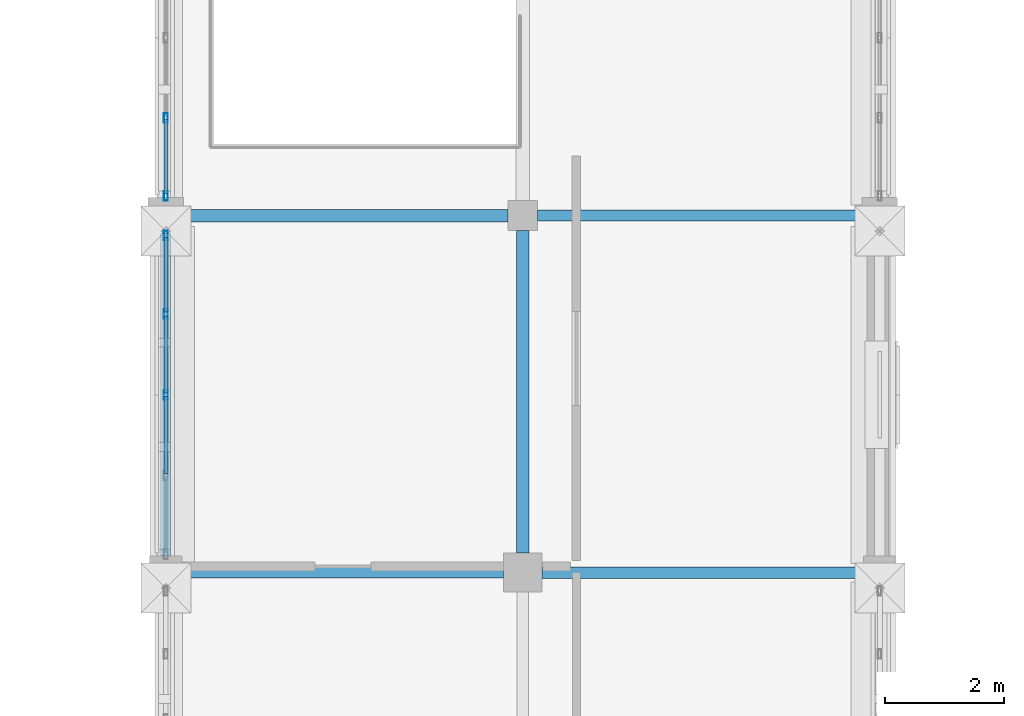
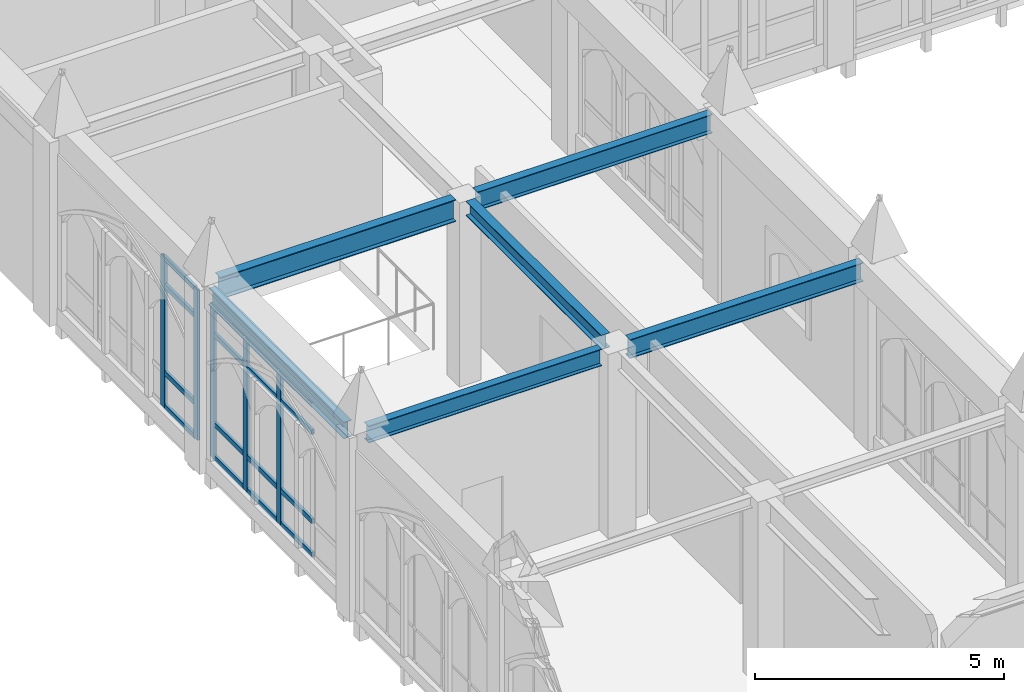
# One storey, part 16 of 143: 21 members, 6 beams, 2 elements without a shape of their own.
"""IFC4 building model written with IfcOpenShell, lengths in metres."""

from ifc_helpers import new_model, si_unit, direction, frame, origin, origin_2d, place, context, subcontext, project, spatial, hollow_rectangle, i_section, extrude, material, layer, layer_set, material_profile, profile_set, type_object, element, aggregate, save


model = new_model("IFC4")

# Units and contexts
model_context = context("Model", 3, precision=1e-05, world=origin(), true_north=direction((0.0, 1.0)))
body_context = subcontext(model_context, "Body", "Model", "MODEL_VIEW")
ifc_project = project(units=[si_unit("LENGTHUNIT", "METRE"), si_unit("AREAUNIT", "SQUARE_METRE"), si_unit("VOLUMEUNIT", "CUBIC_METRE"), si_unit("PLANEANGLEUNIT", "RADIAN"), si_unit("MASSUNIT", "GRAM", prefix="KILO")], contexts=[model_context])

# Site, building, storey
site_placement = place(None, origin())
site = spatial("IfcSite", under=ifc_project, at=site_placement, CompositionType="ELEMENT")
building_placement = place(site_placement, origin())
building = spatial("IfcBuilding", under=site, at=building_placement, Name="Cumevento Cable Car Station", CompositionType="ELEMENT")
storey_placement = place(building_placement, frame((0.0, 0.0, 9.0)))
storey = spatial("IfcBuildingStorey", under=building, at=storey_placement, Name="L03", CompositionType="ELEMENT", Elevation=9.0)

# Curtain wall, members
ifc_material_1 = material(Name="Anodised Bronze Aluminium AW-6063-T6", Category="aluminium")
ifc_layer_1 = layer(ifc_material_1, 0.18408203125)
ifc_layer_set_1 = layer_set([ifc_layer_1], Name="Anodised Bronze Aluminium AW-6063-T6")
curtain_wall_type_1 = type_object("IfcCurtainWallType", Name="Lancet Curtain Wall CW-05 1210", PredefinedType="NOTDEFINED", material=ifc_layer_set_1)
curtain_wall_1_placement = place(storey_placement, origin())
curtain_wall_1 = element("IfcCurtainWall", 1, at=curtain_wall_1_placement, inside=storey, type_object=curtain_wall_type_1, Name="Lancet Curtain Wall CW-05 L03 #84", PredefinedType="NOTDEFINED")
ifc_material_2 = material(Name="Anodised Bronze Aluminium AW-6063-T6", Category="aluminium")
ifc_material_profile_1 = material_profile(ifc_material_2, hollow_rectangle(XDim=0.06494140625, YDim=0.159912109375, WallThickness=0.00390625, at=origin_2d()), Name="ALUM65x160x4")
ifc_profile_set_1 = profile_set([ifc_material_profile_1], Name="Anodised Bronze Aluminium AW-6063-T6")
member_type_1 = type_object("IfcMemberType", Name="Curtain Mullion CWM-01 ALUM65x160x4", PredefinedType="MULLION", material=ifc_profile_set_1)
member_1_placement = place(storey_placement, frame((58.0, 23.987548828125, 0.360107421875), z_axis=(0.0, 0.0, 1.0), x_axis=(-1.0, 0.0, 0.0)))
member_1 = element("IfcMember", 2, at=member_1_placement, type_object=member_type_1, Name="CW-05 mullion 3", PredefinedType="MULLION", context=body_context, shape_type="SweptSolid", body=[
    extrude(hollow_rectangle(XDim=0.06494140625, YDim=0.159912109375, WallThickness=0.00390625, at=origin_2d()), origin(), (0.0, 0.0, 1.0), 3.73291015625),
])
member_2_placement = place(storey_placement, frame((58.0, 25.34375, 0.360107421875), z_axis=(0.0, 0.0, 1.0), x_axis=(-1.0, 0.0, 0.0)))
member_2 = element("IfcMember", 3, at=member_2_placement, type_object=member_type_1, Name="CW-05 mullion 4", PredefinedType="MULLION", context=body_context, shape_type="SweptSolid", body=[
    extrude(hollow_rectangle(XDim=0.06494140625, YDim=0.159912109375, WallThickness=0.00390625, at=origin_2d()), origin(), (0.0, 0.0, 1.0), 3.73291015625),
])
member_3_placement = place(storey_placement, frame((58.0, 26.66748046875, 0.360107421875), z_axis=(0.0, 0.0, 1.0), x_axis=(-1.0, 0.0, 0.0)))
member_3 = element("IfcMember", 4, at=member_3_placement, type_object=member_type_1, Name="CW-05 mullion 5", PredefinedType="MULLION", context=body_context, shape_type="SweptSolid", body=[
    extrude(hollow_rectangle(XDim=0.06494140625, YDim=0.159912109375, WallThickness=0.00390625, at=origin_2d()), origin(), (0.0, 0.0, 1.0), 3.73291015625),
])

ifc_material_3 = material(Name="Anodised Bronze Aluminium AW-6063-T6", Category="aluminium")
ifc_layer_2 = layer(ifc_material_3, 0.18994140625)
ifc_layer_set_2 = layer_set([ifc_layer_2], Name="Anodised Bronze Aluminium AW-6063-T6")
curtain_wall_type_2 = type_object("IfcCurtainWallType", Name="Lancet Curtain Wall CW-06 1250", PredefinedType="NOTDEFINED", material=ifc_layer_set_2)
curtain_wall_2_placement = place(storey_placement, origin())
curtain_wall_2 = element("IfcCurtainWall", 5, at=curtain_wall_2_placement, inside=storey, type_object=curtain_wall_type_2, Name="Lancet Curtain Wall CW-06 L03 #85", PredefinedType="NOTDEFINED")
member_4_placement = place(storey_placement, frame((58.0, 27.33251953125, 0.409912109375), z_axis=(0.0, 0.0, 1.0), x_axis=(-1.0, 0.0, 0.0)))
member_4 = element("IfcMember", 6, at=member_4_placement, type_object=member_type_1, Name="CW-06 mullion 1", PredefinedType="MULLION", context=body_context, shape_type="SweptSolid", body=[
    extrude(hollow_rectangle(XDim=0.06494140625, YDim=0.159912109375, WallThickness=0.00390625, at=origin_2d()), origin(), (0.0, 0.0, 1.0), 3.68310546875),
])
member_5_placement = place(storey_placement, frame((58.0, 28.643798828125, 0.409912109375), z_axis=(0.0, 0.0, 1.0), x_axis=(-1.0, 0.0, 0.0)))
member_5 = element("IfcMember", 7, at=member_5_placement, type_object=member_type_1, Name="CW-06 mullion 2", PredefinedType="MULLION", context=body_context, shape_type="SweptSolid", body=[
    extrude(hollow_rectangle(XDim=0.06494140625, YDim=0.159912109375, WallThickness=0.00390625, at=origin_2d()), origin(), (0.0, 0.0, 1.0), 3.68310546875),
])

# Member
ifc_material_4 = material(Name="Anodised Bronze Aluminium AW-6063-T6", Category="aluminium")
ifc_material_profile_2 = material_profile(ifc_material_4, hollow_rectangle(XDim=0.06494140625, YDim=0.1201171875, WallThickness=0.00390625, at=origin_2d()), Name="ALUT65x120x4")
ifc_profile_set_2 = profile_set([ifc_material_profile_2], Name="Anodised Bronze Aluminium AW-6063-T6")
member_type_2 = type_object("IfcMemberType", Name="Curtain Transom CWT-01 ALUT65x120x4", PredefinedType="USERDEFINED", material=ifc_profile_set_2)
member_6_placement = place(storey_placement, frame((58.0, 22.663818359375, 0.392578125), z_axis=(0.0, 1.0, 0.0), x_axis=(-1.0, 0.0, 0.0)))
member_6 = element("IfcMember", 8, at=member_6_placement, type_object=member_type_2, Name="CW-05 transom 2.1", ObjectType="TRANSOM", PredefinedType="USERDEFINED", context=body_context, shape_type="SweptSolid", body=[
    extrude(hollow_rectangle(XDim=0.06494140625, YDim=0.1201171875, WallThickness=0.00390625, at=origin_2d()), origin(), (0.0, 0.0, 1.0), 1.291259765625),
])

member_7_placement = place(storey_placement, frame((58.0, 22.663818359375, 1.2099609375), z_axis=(0.0, 1.0, 0.0), x_axis=(-1.0, 0.0, 0.0)))
member_7 = element("IfcMember", 9, at=member_7_placement, type_object=member_type_2, Name="CW-05 transom 2.2", ObjectType="TRANSOM", PredefinedType="USERDEFINED", context=body_context, shape_type="SweptSolid", body=[
    extrude(hollow_rectangle(XDim=0.06494140625, YDim=0.1201171875, WallThickness=0.00390625, at=origin_2d()), origin(), (0.0, 0.0, 1.0), 1.291259765625),
])

member_8_placement = place(storey_placement, frame((58.0, 22.663818359375, 3.39306640625), z_axis=(0.0, 1.0, 0.0), x_axis=(-1.0, 0.0, 0.0)))
member_8 = element("IfcMember", 10, at=member_8_placement, type_object=member_type_2, Name="CW-05 transom 2.3", ObjectType="TRANSOM", PredefinedType="USERDEFINED", context=body_context, shape_type="SweptSolid", body=[
    extrude(hollow_rectangle(XDim=0.06494140625, YDim=0.1201171875, WallThickness=0.00390625, at=origin_2d()), origin(), (0.0, 0.0, 1.0), 1.291259765625),
])

member_9_placement = place(storey_placement, frame((58.0, 22.663818359375, 4.060546875), z_axis=(0.0, 1.0, 0.0), x_axis=(-1.0, 0.0, 0.0)))
member_9 = element("IfcMember", 11, at=member_9_placement, type_object=member_type_2, Name="CW-05 transom 2.4", ObjectType="TRANSOM", PredefinedType="USERDEFINED", context=body_context, shape_type="SweptSolid", body=[
    extrude(hollow_rectangle(XDim=0.06494140625, YDim=0.1201171875, WallThickness=0.00390625, at=origin_2d()), origin(), (0.0, 0.0, 1.0), 1.291259765625),
])

member_10_placement = place(storey_placement, frame((58.0, 24.02001953125, 0.392578125), z_axis=(0.0, 1.0, 0.0), x_axis=(-1.0, 0.0, 0.0)))
member_10 = element("IfcMember", 12, at=member_10_placement, type_object=member_type_2, Name="CW-05 transom 3.1", ObjectType="TRANSOM", PredefinedType="USERDEFINED", context=body_context, shape_type="SweptSolid", body=[
    extrude(hollow_rectangle(XDim=0.06494140625, YDim=0.1201171875, WallThickness=0.00390625, at=origin_2d()), origin(), (0.0, 0.0, 1.0), 1.291259765625),
])

member_11_placement = place(storey_placement, frame((58.0, 24.02001953125, 1.2099609375), z_axis=(0.0, 1.0, 0.0), x_axis=(-1.0, 0.0, 0.0)))
member_11 = element("IfcMember", 13, at=member_11_placement, type_object=member_type_2, Name="CW-05 transom 3.2", ObjectType="TRANSOM", PredefinedType="USERDEFINED", context=body_context, shape_type="SweptSolid", body=[
    extrude(hollow_rectangle(XDim=0.06494140625, YDim=0.1201171875, WallThickness=0.00390625, at=origin_2d()), origin(), (0.0, 0.0, 1.0), 1.291259765625),
])

member_12_placement = place(storey_placement, frame((58.0, 24.02001953125, 3.39306640625), z_axis=(0.0, 1.0, 0.0), x_axis=(-1.0, 0.0, 0.0)))
member_12 = element("IfcMember", 14, at=member_12_placement, type_object=member_type_2, Name="CW-05 transom 3.3", ObjectType="TRANSOM", PredefinedType="USERDEFINED", context=body_context, shape_type="SweptSolid", body=[
    extrude(hollow_rectangle(XDim=0.06494140625, YDim=0.1201171875, WallThickness=0.00390625, at=origin_2d()), origin(), (0.0, 0.0, 1.0), 1.291259765625),
])

member_13_placement = place(storey_placement, frame((58.0, 24.02001953125, 4.060546875), z_axis=(0.0, 1.0, 0.0), x_axis=(-1.0, 0.0, 0.0)))
member_13 = element("IfcMember", 15, at=member_13_placement, type_object=member_type_2, Name="CW-05 transom 3.4", ObjectType="TRANSOM", PredefinedType="USERDEFINED", context=body_context, shape_type="SweptSolid", body=[
    extrude(hollow_rectangle(XDim=0.06494140625, YDim=0.1201171875, WallThickness=0.00390625, at=origin_2d()), origin(), (0.0, 0.0, 1.0), 1.291259765625),
])

member_14_placement = place(storey_placement, frame((58.0, 25.376220703125, 0.392578125), z_axis=(0.0, 1.0, 0.0), x_axis=(-1.0, 0.0, 0.0)))
member_14 = element("IfcMember", 16, at=member_14_placement, type_object=member_type_2, Name="CW-05 transom 4.1", ObjectType="TRANSOM", PredefinedType="USERDEFINED", context=body_context, shape_type="SweptSolid", body=[
    extrude(hollow_rectangle(XDim=0.06494140625, YDim=0.1201171875, WallThickness=0.00390625, at=origin_2d()), origin(), (0.0, 0.0, 1.0), 1.2587890625),
])

member_15_placement = place(storey_placement, frame((58.0, 25.376220703125, 1.2099609375), z_axis=(0.0, 1.0, 0.0), x_axis=(-1.0, 0.0, 0.0)))
member_15 = element("IfcMember", 17, at=member_15_placement, type_object=member_type_2, Name="CW-05 transom 4.2", ObjectType="TRANSOM", PredefinedType="USERDEFINED", context=body_context, shape_type="SweptSolid", body=[
    extrude(hollow_rectangle(XDim=0.06494140625, YDim=0.1201171875, WallThickness=0.00390625, at=origin_2d()), origin(), (0.0, 0.0, 1.0), 1.2587890625),
])

member_16_placement = place(storey_placement, frame((58.0, 25.376220703125, 3.39306640625), z_axis=(0.0, 1.0, 0.0), x_axis=(-1.0, 0.0, 0.0)))
member_16 = element("IfcMember", 18, at=member_16_placement, type_object=member_type_2, Name="CW-05 transom 4.3", ObjectType="TRANSOM", PredefinedType="USERDEFINED", context=body_context, shape_type="SweptSolid", body=[
    extrude(hollow_rectangle(XDim=0.06494140625, YDim=0.1201171875, WallThickness=0.00390625, at=origin_2d()), origin(), (0.0, 0.0, 1.0), 1.2587890625),
])

member_17_placement = place(storey_placement, frame((58.0, 25.376220703125, 4.060546875), z_axis=(0.0, 1.0, 0.0), x_axis=(-1.0, 0.0, 0.0)))
member_17 = element("IfcMember", 19, at=member_17_placement, type_object=member_type_2, Name="CW-05 transom 4.4", ObjectType="TRANSOM", PredefinedType="USERDEFINED", context=body_context, shape_type="SweptSolid", body=[
    extrude(hollow_rectangle(XDim=0.06494140625, YDim=0.1201171875, WallThickness=0.00390625, at=origin_2d()), origin(), (0.0, 0.0, 1.0), 1.2587890625),
])

aggregate(curtain_wall_1, [member_1, member_2, member_3, member_6, member_7, member_8, member_9, member_10, member_11, member_12, member_13, member_14, member_15, member_16, member_17])

member_18_placement = place(storey_placement, frame((58.0, 27.364990234375, 0.4423828125), z_axis=(0.0, 1.0, 0.0), x_axis=(-1.0, 0.0, 0.0)))
member_18 = element("IfcMember", 20, at=member_18_placement, type_object=member_type_2, Name="CW-06 transom 1.1", ObjectType="TRANSOM", PredefinedType="USERDEFINED", context=body_context, shape_type="SweptSolid", body=[
    extrude(hollow_rectangle(XDim=0.06494140625, YDim=0.1201171875, WallThickness=0.00390625, at=origin_2d()), origin(), (0.0, 0.0, 1.0), 1.246337890625),
])

member_19_placement = place(storey_placement, frame((58.0, 27.364990234375, 1.260009765625), z_axis=(0.0, 1.0, 0.0), x_axis=(-1.0, 0.0, 0.0)))
member_19 = element("IfcMember", 21, at=member_19_placement, type_object=member_type_2, Name="CW-06 transom 1.2", ObjectType="TRANSOM", PredefinedType="USERDEFINED", context=body_context, shape_type="SweptSolid", body=[
    extrude(hollow_rectangle(XDim=0.06494140625, YDim=0.1201171875, WallThickness=0.00390625, at=origin_2d()), origin(), (0.0, 0.0, 1.0), 1.246337890625),
])

member_20_placement = place(storey_placement, frame((58.0, 27.364990234375, 3.39306640625), z_axis=(0.0, 1.0, 0.0), x_axis=(-1.0, 0.0, 0.0)))
member_20 = element("IfcMember", 22, at=member_20_placement, type_object=member_type_2, Name="CW-06 transom 1.3", ObjectType="TRANSOM", PredefinedType="USERDEFINED", context=body_context, shape_type="SweptSolid", body=[
    extrude(hollow_rectangle(XDim=0.06494140625, YDim=0.1201171875, WallThickness=0.00390625, at=origin_2d()), origin(), (0.0, 0.0, 1.0), 1.246337890625),
])

member_21_placement = place(storey_placement, frame((58.0, 27.364990234375, 4.060546875), z_axis=(0.0, 1.0, 0.0), x_axis=(-1.0, 0.0, 0.0)))
member_21 = element("IfcMember", 23, at=member_21_placement, type_object=member_type_2, Name="CW-06 transom 1.4", ObjectType="TRANSOM", PredefinedType="USERDEFINED", context=body_context, shape_type="SweptSolid", body=[
    extrude(hollow_rectangle(XDim=0.06494140625, YDim=0.1201171875, WallThickness=0.00390625, at=origin_2d()), origin(), (0.0, 0.0, 1.0), 1.246337890625),
])

aggregate(curtain_wall_2, [member_4, member_5, member_18, member_19, member_20, member_21])

# Beams
ifc_material_5 = material(Name="Steel ASTM A572 Grade 50", Category="steel")
ifc_material_profile_3 = material_profile(ifc_material_5, i_section(OverallWidth=0.18994140625, OverallDepth=0.45703125, WebThickness=0.009033203125, FlangeThickness=0.014404296875, at=origin_2d()), Name="W460x74.0")
ifc_profile_set_3 = profile_set([ifc_material_profile_3], Name="Steel ASTM A572 Grade 50")
beam_type_1 = type_object("IfcBeamType", Name="Structural Beam BM-04 W460x74.0", PredefinedType="BEAM", material=ifc_profile_set_3)
beam_1_placement = place(storey_placement, frame((64.25, 27.0, 4.271484375), z_axis=(1.0, 0.0, 0.0), x_axis=(0.0, 1.0, 0.0)))
element("IfcBeam", 24, at=beam_1_placement, inside=storey, type_object=beam_type_1, Name="Beam BM-04 L03 #969", PredefinedType="BEAM", context=body_context, shape_type="SweptSolid", body=[
    extrude(i_section(OverallWidth=0.18994140625, OverallDepth=0.45703125, WebThickness=0.009033203125, FlangeThickness=0.014404296875, at=origin_2d()), origin(), (0.0, 0.0, 1.0), 5.449951171875),
])
ifc_material_6 = material(Name="Steel ASTM A572 Grade 50", Category="steel")
ifc_material_profile_4 = material_profile(ifc_material_6, i_section(OverallWidth=0.205078125, OverallDepth=0.35400390625, WebThickness=0.009521484375, FlangeThickness=0.016845703125, at=origin_2d()), Name="W360x79.0")
ifc_profile_set_4 = profile_set([ifc_material_profile_4], Name="Steel ASTM A572 Grade 50")
beam_type_2 = type_object("IfcBeamType", Name="Structural Beam BM-05 W360x79.0", PredefinedType="BEAM", material=ifc_profile_set_4)
beam_2_placement = place(storey_placement, frame((64.0, 21.324951171875, 4.322998046875), z_axis=(0.0, 1.0, 0.0), x_axis=(-1.0, 0.0, 0.0)))
element("IfcBeam", 25, at=beam_2_placement, inside=storey, type_object=beam_type_2, Name="Beam BM-05 L03 #981", PredefinedType="BEAM", context=body_context, shape_type="SweptSolid", body=[
    extrude(i_section(OverallWidth=0.205078125, OverallDepth=0.35400390625, WebThickness=0.009521484375, FlangeThickness=0.016845703125, at=origin_2d()), origin(), (0.0, 0.0, 1.0), 5.425048828125),
])
ifc_material_7 = material(Name="Steel ASTM A572 Grade 50", Category="steel")
ifc_material_profile_5 = material_profile(ifc_material_7, i_section(OverallWidth=0.179931640625, OverallDepth=0.4130859375, WebThickness=0.009765625, FlangeThickness=0.01611328125, at=origin_2d()), Name="W410x74.0")
ifc_profile_set_5 = profile_set([ifc_material_profile_5], Name="Steel ASTM A572 Grade 50")
beam_type_3 = type_object("IfcBeamType", Name="Structural Beam BM-09 W410x74.0", PredefinedType="BEAM", material=ifc_profile_set_5)
beam_3_placement = place(storey_placement, frame((58.27490234375, 21.0, 4.29345703125), z_axis=(1.0, 0.0, 0.0), x_axis=(0.0, 1.0, 0.0)))
element("IfcBeam", 26, at=beam_3_placement, inside=storey, type_object=beam_type_3, Name="Beam BM-09 L03 #966", PredefinedType="BEAM", context=body_context, shape_type="SweptSolid", body=[
    extrude(i_section(OverallWidth=0.179931640625, OverallDepth=0.4130859375, WebThickness=0.009765625, FlangeThickness=0.01611328125, at=origin_2d()), origin(), (0.0, 0.0, 1.0), 5.400146484375),
])
ifc_material_8 = material(Name="Steel ASTM A572 Grade 50", Category="steel")
ifc_material_profile_6 = material_profile(ifc_material_8, i_section(OverallWidth=0.19189453125, OverallDepth=0.462890625, WebThickness=0.010498046875, FlangeThickness=0.017578125, at=origin_2d()), Name="W460x89.0")
ifc_profile_set_6 = profile_set([ifc_material_profile_6], Name="Steel ASTM A572 Grade 50")
beam_type_4 = type_object("IfcBeamType", Name="Structural Beam BM-10 W460x89.0", PredefinedType="BEAM", material=ifc_profile_set_6)
beam_4_placement = place(storey_placement, frame((64.324951171875, 21.0, 4.2685546875), z_axis=(1.0, 0.0, 0.0), x_axis=(0.0, 1.0, 0.0)))
element("IfcBeam", 27, at=beam_4_placement, inside=storey, type_object=beam_type_4, Name="Beam BM-10 L03 #967", PredefinedType="BEAM", context=body_context, shape_type="SweptSolid", body=[
    extrude(i_section(OverallWidth=0.19189453125, OverallDepth=0.462890625, WebThickness=0.010498046875, FlangeThickness=0.017578125, at=origin_2d()), origin(), (0.0, 0.0, 1.0), 5.400146484375),
])
ifc_material_9 = material(Name="Steel ASTM A572 Grade 50", Category="steel")
ifc_material_profile_7 = material_profile(ifc_material_9, i_section(OverallWidth=0.2109375, OverallDepth=0.5390625, WebThickness=0.01171875, FlangeThickness=0.018798828125, at=origin_2d()), Name="W530x109.0")
ifc_profile_set_7 = profile_set([ifc_material_profile_7], Name="Steel ASTM A572 Grade 50")
beam_type_5 = type_object("IfcBeamType", Name="Structural Beam BM-11 W530x109.0", PredefinedType="BEAM", material=ifc_profile_set_7)
beam_5_placement = place(storey_placement, frame((58.300048828125, 27.0, 4.23046875), z_axis=(1.0, 0.0, 0.0), x_axis=(0.0, 1.0, 0.0)))
element("IfcBeam", 28, at=beam_5_placement, inside=storey, type_object=beam_type_5, Name="Beam BM-11 L03 #968", PredefinedType="BEAM", context=body_context, shape_type="SweptSolid", body=[
    extrude(i_section(OverallWidth=0.2109375, OverallDepth=0.5390625, WebThickness=0.01171875, FlangeThickness=0.018798828125, at=origin_2d()), origin(), (0.0, 0.0, 1.0), 5.449951171875),
])
ifc_material_10 = material(Name="Steel ASTM A572 Grade 50", Category="steel")
ifc_material_profile_8 = material_profile(ifc_material_10, i_section(OverallWidth=0.177978515625, OverallDepth=0.406982421875, WebThickness=0.0078125, FlangeThickness=0.0126953125, at=origin_2d()), Name="W410x60.0")
ifc_profile_set_8 = profile_set([ifc_material_profile_8], Name="Steel ASTM A572 Grade 50")
beam_type_6 = type_object("IfcBeamType", Name="Structural Spandrel SP-01 W410x60.0", PredefinedType="SPANDREL", material=ifc_profile_set_8)
beam_6_placement = place(storey_placement, frame((58.0, 21.27490234375, 4.29638671875), z_axis=(0.0, 1.0, 0.0), x_axis=(-1.0, 0.0, 0.0)))
element("IfcBeam", 29, at=beam_6_placement, inside=storey, type_object=beam_type_6, Name="Beam SP-01 L03 #976", PredefinedType="SPANDREL", context=body_context, shape_type="SweptSolid", body=[
    extrude(i_section(OverallWidth=0.177978515625, OverallDepth=0.406982421875, WebThickness=0.0078125, FlangeThickness=0.0126953125, at=origin_2d()), origin(), (0.0, 0.0, 1.0), 5.425048828125),
])

save(model, "model.ifc")
